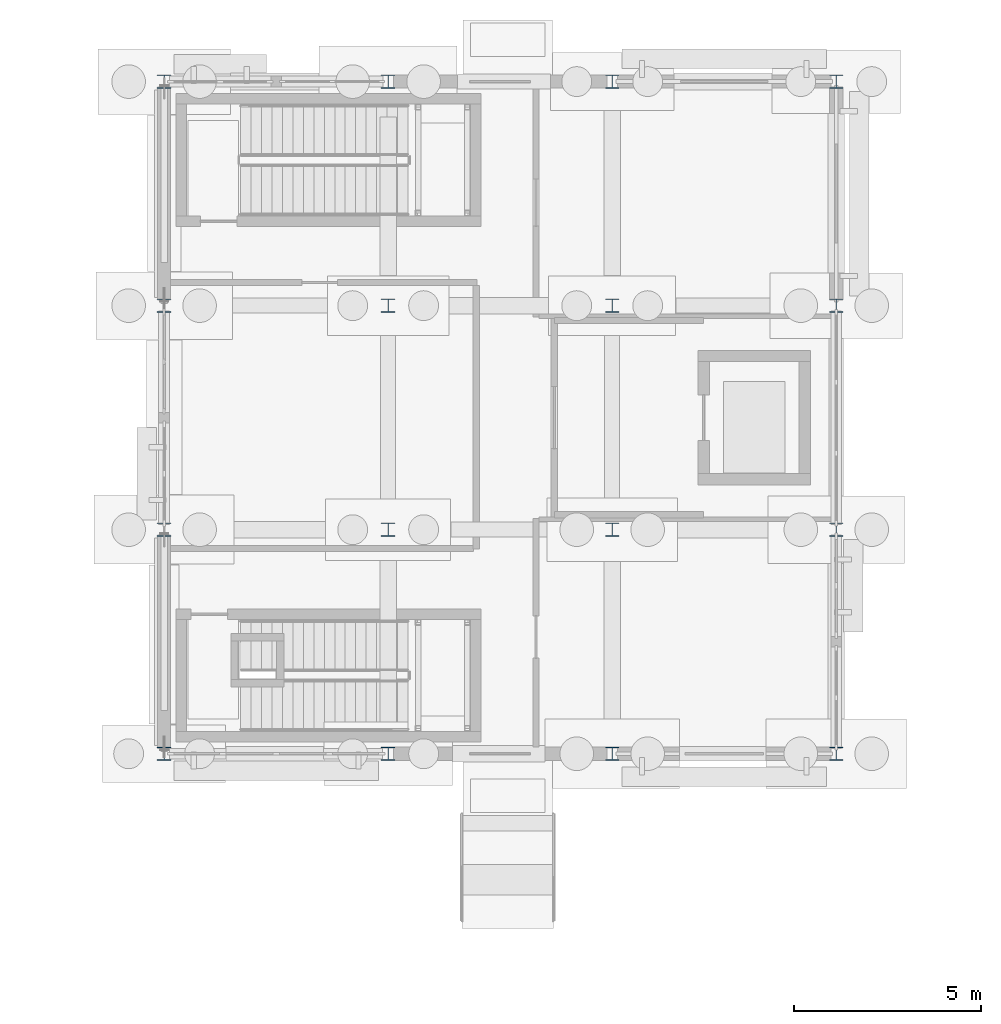
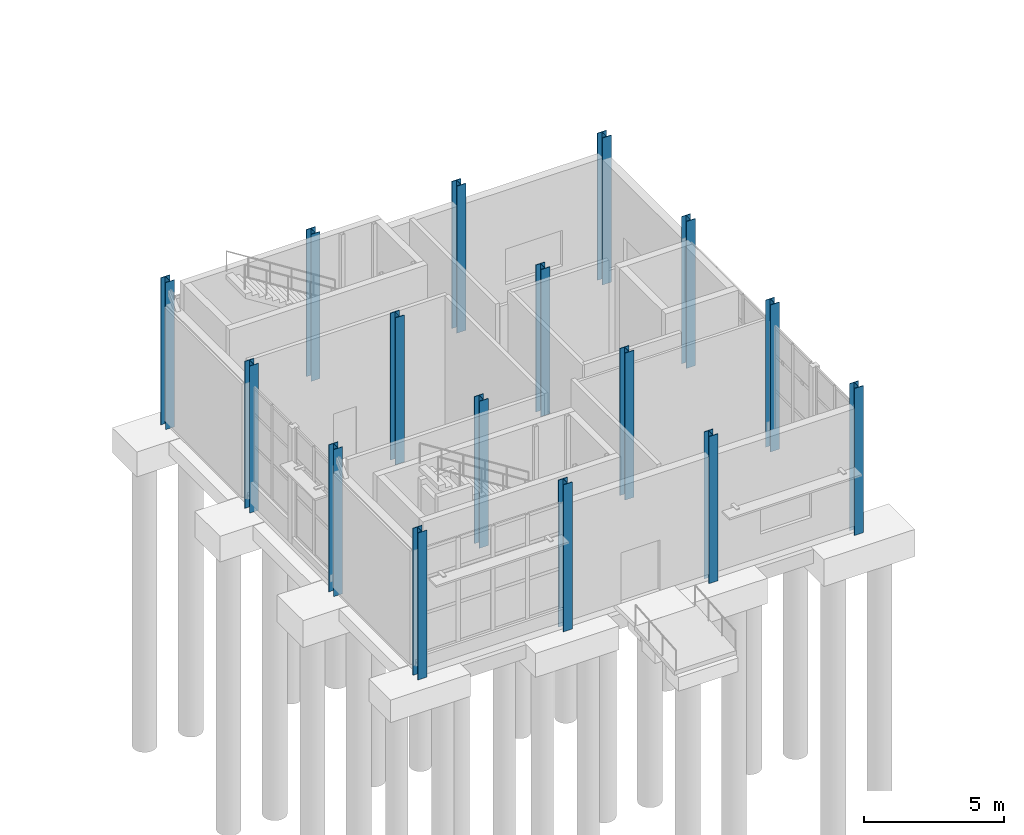
# One storey, part 22 of 120: 16 columns.
"""IFC4 building model written with IfcOpenShell, lengths in metres."""

from ifc_helpers import new_model, si_unit, direction, frame, origin, origin_2d, place, context, subcontext, project, spatial, i_section, extrude, material, material_profile, profile_set, type_object, element, save


model = new_model("IFC4")

# Units and contexts
model_context = context("Model", 3, precision=1e-05, world=origin(), true_north=direction((0.0, 1.0)))
body_context = subcontext(model_context, "Body", "Model", "MODEL_VIEW")
ifc_project = project(units=[si_unit("LENGTHUNIT", "METRE"), si_unit("AREAUNIT", "SQUARE_METRE"), si_unit("VOLUMEUNIT", "CUBIC_METRE"), si_unit("PLANEANGLEUNIT", "RADIAN"), si_unit("MASSUNIT", "GRAM", prefix="KILO")], contexts=[model_context])

# Site, building, storey
site_placement = place(None, origin())
site = spatial("IfcSite", under=ifc_project, at=site_placement, CompositionType="ELEMENT")
building_placement = place(site_placement, origin())
building = spatial("IfcBuilding", under=site, at=building_placement, Name="Siltcreek Boulevard Central Fire Station", CompositionType="ELEMENT")
storey_placement = place(building_placement, origin())
storey = spatial("IfcBuildingStorey", under=building, at=storey_placement, Name="L01", CompositionType="ELEMENT", Elevation=0.0)

# Columns
ifc_material = material(Name="Structural steel ASTM A992 Gr50", Category="steel")
ifc_material_profile = material_profile(ifc_material, i_section(OverallWidth=0.37109375, OverallDepth=0.364013671875, WebThickness=0.01318359375, FlangeThickness=0.021728515625, at=origin_2d()), Name="W360X162")
ifc_profile_set = profile_set([ifc_material_profile], Name="Structural steel ASTM A992 Gr50")
column_type = type_object("IfcColumnType", Name="COL_W360X162", PredefinedType="COLUMN", material=ifc_profile_set)
for number, where, z_axis, x_axis, name in (
    (1, (42.0, 94.199951171875, -0.409912109375), (0.0, 0.0, 1.0), (1.0, 0.0, 0.0), "L01 structural column COLG-L01-420-942"),
    (2, (42.0, 100.199951171875, -0.409912109375), (0.0, 0.0, 1.0), (1.0, 0.0, 0.0), "L01 structural column COLG-L01-420-1002"),
    (3, (42.0, 106.199951171875, -0.409912109375), (0.0, 0.0, 1.0), (1.0, 0.0, 0.0), "L01 structural column COLG-L01-420-1062"),
    (4, (42.0, 112.199951171875, -0.409912109375), (0.0, 0.0, 1.0), (1.0, 0.0, 0.0), "L01 structural column COLG-L01-420-1122"),
    (5, (48.0, 94.199951171875, -0.409912109375), (0.0, 0.0, 1.0), (1.0, 0.0, 0.0), "L01 structural column COLG-L01-480-942"),
    (6, (48.0, 100.199951171875, -0.409912109375), (0.0, 0.0, 1.0), (1.0, 0.0, 0.0), "L01 structural column COLG-L01-480-1002"),
    (7, (48.0, 106.199951171875, -0.409912109375), (0.0, 0.0, 1.0), (1.0, 0.0, 0.0), "L01 structural column COLG-L01-480-1062"),
    (8, (48.0, 112.199951171875, -0.409912109375), (0.0, 0.0, 1.0), (1.0, 0.0, 0.0), "L01 structural column COLG-L01-480-1122"),
    (9, (54.0, 94.199951171875, -0.409912109375), (0.0, 0.0, 1.0), (1.0, 0.0, 0.0), "L01 structural column COLG-L01-540-942"),
    (10, (54.0, 100.199951171875, -0.409912109375), (0.0, 0.0, 1.0), (1.0, 0.0, 0.0), "L01 structural column COLG-L01-540-1002"),
    (11, (54.0, 106.199951171875, -0.409912109375), (0.0, 0.0, 1.0), (1.0, 0.0, 0.0), "L01 structural column COLG-L01-540-1062"),
    (12, (54.0, 112.199951171875, -0.409912109375), (0.0, 0.0, 1.0), (1.0, 0.0, 0.0), "L01 structural column COLG-L01-540-1122"),
    (13, (60.0, 94.199951171875, -0.409912109375), (0.0, 0.0, 1.0), (1.0, 0.0, 0.0), "L01 structural column COLG-L01-600-942"),
    (14, (60.0, 100.199951171875, -0.409912109375), (0.0, 0.0, 1.0), (1.0, 0.0, 0.0), "L01 structural column COLG-L01-600-1002"),
    (15, (60.0, 106.199951171875, -0.409912109375), (0.0, 0.0, 1.0), (1.0, 0.0, 0.0), "L01 structural column COLG-L01-600-1062"),
    (16, (60.0, 112.199951171875, -0.409912109375), (0.0, 0.0, 1.0), (1.0, 0.0, 0.0), "L01 structural column COLG-L01-600-1122"),
):
    element("IfcColumn", number, at=place(storey_placement, frame(where, z_axis=z_axis, x_axis=x_axis)), inside=storey, type_object=column_type, Name=name, PredefinedType="COLUMN", context=body_context, shape_type="SweptSolid", body=[
        extrude(i_section(OverallWidth=0.37109375, OverallDepth=0.364013671875, WebThickness=0.01318359375, FlangeThickness=0.021728515625, at=origin_2d()), origin(), (0.0, 0.0, 1.0), 6.409912109375),
    ])

save(model, "model.ifc")
